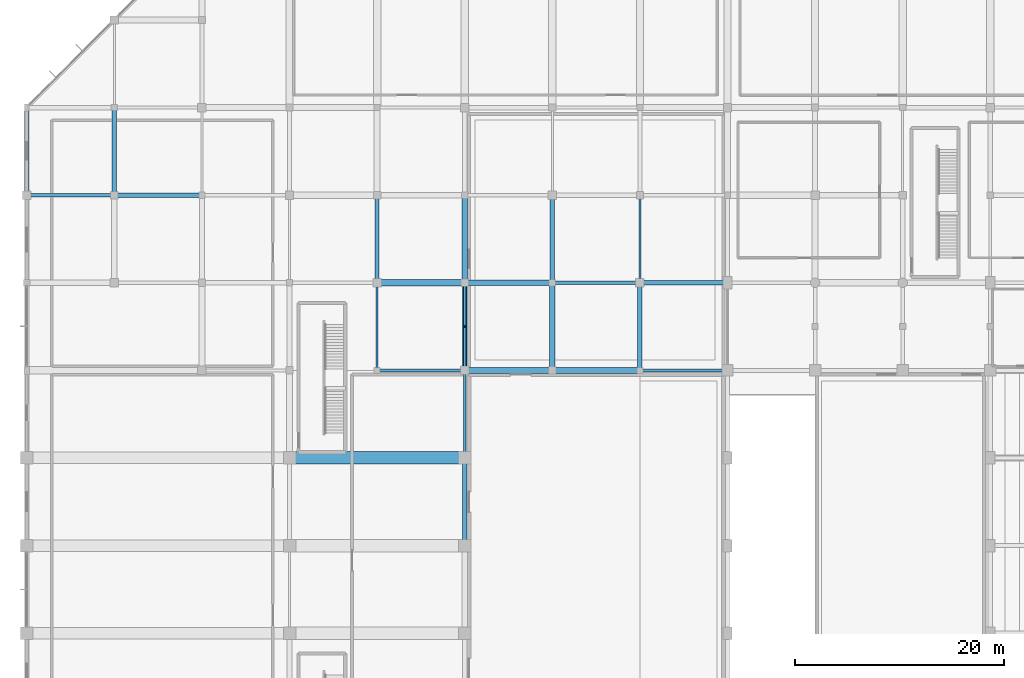
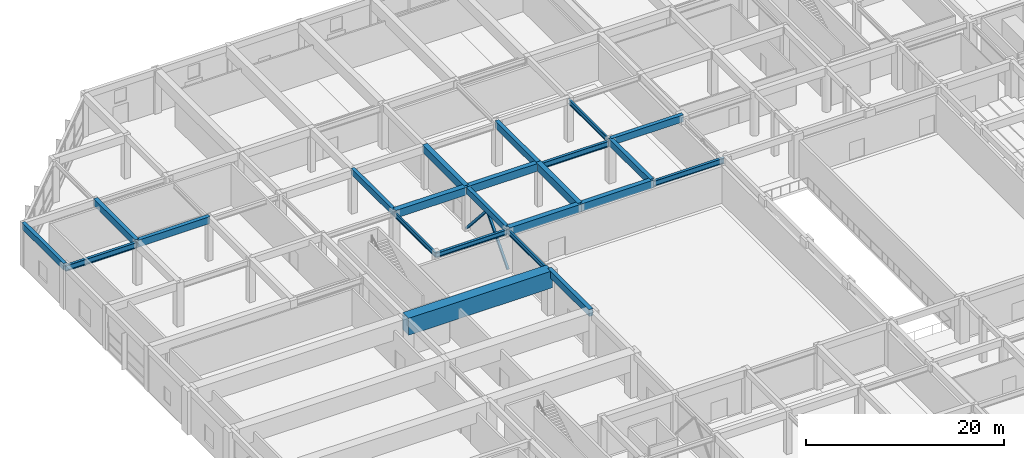
# One storey, part 19 of 62: 23 beams, 2 members.
"""IFC4 building model written with IfcOpenShell, lengths in metres."""

from ifc_helpers import new_model, si_unit, direction, frame, origin, origin_2d, place, context, subcontext, project, spatial, rectangle, hollow_rectangle, i_section, extrude, material, material_profile, profile_set, type_object, element, save


model = new_model("IFC4")

# Units and contexts
model_context = context("Model", 3, precision=1e-05, world=origin(), true_north=direction((0.0, 1.0)))
body_context = subcontext(model_context, "Body", "Model", "MODEL_VIEW")
ifc_project = project(units=[si_unit("LENGTHUNIT", "METRE"), si_unit("AREAUNIT", "SQUARE_METRE"), si_unit("VOLUMEUNIT", "CUBIC_METRE"), si_unit("PLANEANGLEUNIT", "RADIAN"), si_unit("MASSUNIT", "GRAM", prefix="KILO")], contexts=[model_context])

# Site, building, storey
site_placement = place(None, origin())
site = spatial("IfcSite", under=ifc_project, at=site_placement, CompositionType="ELEMENT")
building_placement = place(site_placement, origin())
building = spatial("IfcBuilding", under=site, at=building_placement, Name="Xuanlan Plaza Opera House", CompositionType="ELEMENT")
storey_placement = place(building_placement, origin())
storey = spatial("IfcBuildingStorey", under=building, at=storey_placement, Name="L00", CompositionType="ELEMENT", Elevation=0.0)

# Beams
ifc_material_1 = material(Name="Concrete C50", Category="concrete")
ifc_material_profile_1 = material_profile(ifc_material_1, rectangle(XDim=0.60009765625, YDim=0.949951171875, at=origin_2d()), Name="RC-BM 600x950")
ifc_profile_set_1 = profile_set([ifc_material_profile_1], Name="Concrete C50")
beam_type_1 = type_object("IfcBeamType", Name="STR-BM-B-01", PredefinedType="BEAM", material=ifc_profile_set_1)
for number, where, z_axis, x_axis, name in (
    (1, (42.0, 75.60009765625, 4.925048828125), (1.0, 0.0, 0.0), (0.0, 1.0, 0.0), "Grid Beam X L00 6-7/J"),
    (2, (33.60009765625, 84.0, 4.925048828125), (1.0, 0.0, 0.0), (0.0, 1.0, 0.0), "Grid Beam X L00 5-6/K"),
):
    element("IfcBeam", number, at=place(storey_placement, frame(where, z_axis=z_axis, x_axis=x_axis)), inside=storey, type_object=beam_type_1, Name=name, PredefinedType="BEAM", context=body_context, shape_type="SweptSolid", body=[
        extrude(rectangle(XDim=0.60009765625, YDim=0.949951171875, at=origin_2d()), origin(), (0.0, 0.0, 1.0), 8.39990234375),
    ])
ifc_material_profile_2 = material_profile(ifc_material_1, rectangle(XDim=0.550048828125, YDim=0.949951171875, at=origin_2d()), Name="RC-BM 550x950")
ifc_profile_set_2 = profile_set([ifc_material_profile_2], Name="Concrete C50")
beam_type_2 = type_object("IfcBeamType", Name="STR-BM-B-02", PredefinedType="BEAM", material=ifc_profile_set_2)
beam_1_placement = place(storey_placement, frame((50.39990234375, 75.60009765625, 4.925048828125), z_axis=(1.0, 0.0, 0.0), x_axis=(0.0, 1.0, 0.0)))
element("IfcBeam", 3, at=beam_1_placement, inside=storey, type_object=beam_type_2, Name="Grid Beam X L00 7-8/J", PredefinedType="BEAM", context=body_context, shape_type="SweptSolid", body=[
    extrude(rectangle(XDim=0.550048828125, YDim=0.949951171875, at=origin_2d()), origin(), (0.0, 0.0, 1.0), 8.400146484375),
])
for number, where, z_axis, x_axis, name in (
    (4, (42.0, 84.0, 4.925048828125), (1.0, 0.0, 0.0), (0.0, 1.0, 0.0), "Grid Beam X L00 6-7/K"),
    (5, (42.0, 84.0, 4.925048828125), (0.0, 1.0, 0.0), (-1.0, 0.0, 0.0), "Grid Beam Y L00 6/K-L"),
    (6, (50.39990234375, 75.60009765625, 4.925048828125), (0.0, 1.0, 0.0), (-1.0, 0.0, 0.0), "Grid Beam Y L00 7/J-K"),
):
    element("IfcBeam", number, at=place(storey_placement, frame(where, z_axis=z_axis, x_axis=x_axis)), inside=storey, type_object=beam_type_2, Name=name, PredefinedType="BEAM", context=body_context, shape_type="SweptSolid", body=[
        extrude(rectangle(XDim=0.550048828125, YDim=0.949951171875, at=origin_2d()), origin(), (0.0, 0.0, 1.0), 8.39990234375),
    ])
ifc_material_2 = material(Name="Concrete C40", Category="concrete")
ifc_material_profile_3 = material_profile(ifc_material_2, rectangle(XDim=0.449951171875, YDim=0.85009765625, at=origin_2d()), Name="RC-BM 450x850")
ifc_profile_set_3 = profile_set([ifc_material_profile_3], Name="Concrete C40")
beam_type_3 = type_object("IfcBeamType", Name="STR-BM-B-04", PredefinedType="BEAM", material=ifc_profile_set_3)
beam_2_placement = place(storey_placement, frame((58.800048828125, 84.0, 4.97509765625), z_axis=(1.0, 0.0, 0.0), x_axis=(0.0, 1.0, 0.0)))
element("IfcBeam", 7, at=beam_2_placement, inside=storey, type_object=beam_type_3, Name="Grid Beam X L00 8-9/K", PredefinedType="BEAM", context=body_context, shape_type="SweptSolid", body=[
    extrude(rectangle(XDim=0.449951171875, YDim=0.85009765625, at=origin_2d()), origin(), (0.0, 0.0, 1.0), 8.39990234375),
])
for number, where, z_axis, x_axis, name in (
    (8, (8.39990234375, 92.39990234375, 4.97509765625), (1.0, 0.0, 0.0), (0.0, 1.0, 0.0), "Grid Beam X L00 2-3/L"),
    (9, (8.39990234375, 92.39990234375, 4.97509765625), (0.0, 1.0, 0.0), (-1.0, 0.0, 0.0), "Grid Beam Y L00 2/L-M"),
):
    element("IfcBeam", number, at=place(storey_placement, frame(where, z_axis=z_axis, x_axis=x_axis)), inside=storey, type_object=beam_type_3, Name=name, PredefinedType="BEAM", context=body_context, shape_type="SweptSolid", body=[
        extrude(rectangle(XDim=0.449951171875, YDim=0.85009765625, at=origin_2d()), origin(), (0.0, 0.0, 1.0), 8.400146484375),
    ])
for number, where, z_axis, x_axis, name in (
    (10, (42.0, 58.800048828125, 4.97509765625), (0.0, 1.0, 0.0), (-1.0, 0.0, 0.0), "Grid Beam Y L00 6/H-I"),
    (11, (50.39990234375, 84.0, 4.97509765625), (0.0, 1.0, 0.0), (-1.0, 0.0, 0.0), "Grid Beam Y L00 7/K-L"),
    (12, (58.800048828125, 75.60009765625, 4.97509765625), (0.0, 1.0, 0.0), (-1.0, 0.0, 0.0), "Grid Beam Y L00 8/J-K"),
):
    element("IfcBeam", number, at=place(storey_placement, frame(where, z_axis=z_axis, x_axis=x_axis)), inside=storey, type_object=beam_type_3, Name=name, PredefinedType="BEAM", context=body_context, shape_type="SweptSolid", body=[
        extrude(rectangle(XDim=0.449951171875, YDim=0.85009765625, at=origin_2d()), origin(), (0.0, 0.0, 1.0), 8.39990234375),
    ])
ifc_material_profile_4 = material_profile(ifc_material_2, rectangle(XDim=0.39990234375, YDim=0.75, at=origin_2d()), Name="RC-BM 400x750")
ifc_profile_set_4 = profile_set([ifc_material_profile_4], Name="Concrete C40")
beam_type_4 = type_object("IfcBeamType", Name="STR-BM-B-06", PredefinedType="BEAM", material=ifc_profile_set_4)
for number, where, z_axis, x_axis, name in (
    (13, (33.60009765625, 84.0, 5.02490234375), (0.0, 1.0, 0.0), (-1.0, 0.0, 0.0), "Grid Beam Y L00 5/K-L"),
    (14, (42.0, 75.60009765625, 5.02490234375), (0.0, 1.0, 0.0), (-1.0, 0.0, 0.0), "Grid Beam Y L00 6/J-K"),
):
    element("IfcBeam", number, at=place(storey_placement, frame(where, z_axis=z_axis, x_axis=x_axis)), inside=storey, type_object=beam_type_4, Name=name, PredefinedType="BEAM", context=body_context, shape_type="SweptSolid", body=[
        extrude(rectangle(XDim=0.39990234375, YDim=0.75, at=origin_2d()), origin(), (0.0, 0.0, 1.0), 8.39990234375),
    ])
ifc_material_3 = material(Name="Steel Q355B", Category="steel")
ifc_material_profile_5 = material_profile(ifc_material_3, i_section(OverallWidth=0.300048828125, OverallDepth=0.699951171875, WebThickness=0.012939453125, FlangeThickness=0.02392578125, FilletRadius=0.02392578125, at=origin_2d()), Name="HN 700x300x13x24")
ifc_profile_set_5 = profile_set([ifc_material_profile_5], Name="Steel Q355B")
beam_type_5 = type_object("IfcBeamType", Name="STR-BM-SB-03", PredefinedType="BEAM", material=ifc_profile_set_5)
beam_3_placement = place(storey_placement, frame((58.800048828125, 75.60009765625, 4.784912109375), z_axis=(1.0, 0.0, 0.0), x_axis=(0.0, 1.0, 0.0)))
element("IfcBeam", 15, at=beam_3_placement, inside=storey, type_object=beam_type_5, Name="Grid Beam X L00 8-9/J", PredefinedType="BEAM", context=body_context, shape_type="SweptSolid", body=[
    extrude(i_section(OverallWidth=0.300048828125, OverallDepth=0.699951171875, WebThickness=0.012939453125, FlangeThickness=0.02392578125, FilletRadius=0.02392578125, at=origin_2d()), origin(), (0.0, 0.0, 1.0), 8.39990234375),
])
beam_4_placement = place(storey_placement, frame((50.39990234375, 84.0, 4.784912109375), z_axis=(1.0, 0.0, 0.0), x_axis=(0.0, 1.0, 0.0)))
element("IfcBeam", 16, at=beam_4_placement, inside=storey, type_object=beam_type_5, Name="Grid Beam X L00 7-8/K", PredefinedType="BEAM", context=body_context, shape_type="SweptSolid", body=[
    extrude(i_section(OverallWidth=0.300048828125, OverallDepth=0.699951171875, WebThickness=0.012939453125, FlangeThickness=0.02392578125, FilletRadius=0.02392578125, at=origin_2d()), origin(), (0.0, 0.0, 1.0), 8.400146484375),
])
beam_5_placement = place(storey_placement, frame((0.0, 92.39990234375, 4.784912109375), z_axis=(1.0, 0.0, 0.0), x_axis=(0.0, 1.0, 0.0)))
element("IfcBeam", 17, at=beam_5_placement, inside=storey, type_object=beam_type_5, Name="Grid Beam X L00 1-2/L", PredefinedType="BEAM", context=body_context, shape_type="SweptSolid", body=[
    extrude(i_section(OverallWidth=0.300048828125, OverallDepth=0.699951171875, WebThickness=0.012939453125, FlangeThickness=0.02392578125, FilletRadius=0.02392578125, at=origin_2d()), origin(), (0.0, 0.0, 1.0), 8.39990234375),
])
ifc_material_profile_6 = material_profile(ifc_material_3, i_section(OverallWidth=0.199951171875, OverallDepth=0.60009765625, WebThickness=0.010986328125, FlangeThickness=0.01708984375, FilletRadius=0.02197265625, at=origin_2d()), Name="HN 600x200x11x17")
ifc_profile_set_6 = profile_set([ifc_material_profile_6], Name="Steel Q355B")
beam_type_6 = type_object("IfcBeamType", Name="STR-BM-SB-04", PredefinedType="BEAM", material=ifc_profile_set_6)
beam_6_placement = place(storey_placement, frame((33.60009765625, 75.60009765625, 4.8349609375), z_axis=(0.0, 1.0, 0.0), x_axis=(-1.0, 0.0, 0.0)))
element("IfcBeam", 18, at=beam_6_placement, inside=storey, type_object=beam_type_6, Name="Grid Beam Y L00 5/J-K", PredefinedType="BEAM", context=body_context, shape_type="SweptSolid", body=[
    extrude(i_section(OverallWidth=0.199951171875, OverallDepth=0.60009765625, WebThickness=0.010986328125, FlangeThickness=0.01708984375, FilletRadius=0.02197265625, at=origin_2d()), origin(), (0.0, 0.0, 1.0), 8.39990234375),
])
beam_7_placement = place(storey_placement, frame((42.0, 67.199951171875, 4.8349609375), z_axis=(0.0, 1.0, 0.0), x_axis=(-1.0, 0.0, 0.0)))
element("IfcBeam", 19, at=beam_7_placement, inside=storey, type_object=beam_type_6, Name="Grid Beam Y L00 6/I-J", PredefinedType="BEAM", context=body_context, shape_type="SweptSolid", body=[
    extrude(i_section(OverallWidth=0.199951171875, OverallDepth=0.60009765625, WebThickness=0.010986328125, FlangeThickness=0.01708984375, FilletRadius=0.02197265625, at=origin_2d()), origin(), (0.0, 0.0, 1.0), 8.400146484375),
])
beam_8_placement = place(storey_placement, frame((58.800048828125, 84.0, 4.8349609375), z_axis=(0.0, 1.0, 0.0), x_axis=(-1.0, 0.0, 0.0)))
element("IfcBeam", 20, at=beam_8_placement, inside=storey, type_object=beam_type_6, Name="Grid Beam Y L00 8/K-L", PredefinedType="BEAM", context=body_context, shape_type="SweptSolid", body=[
    extrude(i_section(OverallWidth=0.199951171875, OverallDepth=0.60009765625, WebThickness=0.010986328125, FlangeThickness=0.01708984375, FilletRadius=0.02197265625, at=origin_2d()), origin(), (0.0, 0.0, 1.0), 8.39990234375),
])
ifc_material_profile_7 = material_profile(ifc_material_3, i_section(OverallWidth=0.300048828125, OverallDepth=0.587890625, WebThickness=0.011962890625, FlangeThickness=0.02001953125, FilletRadius=0.02392578125, at=origin_2d()), Name="HM 588x300x12x20")
ifc_profile_set_7 = profile_set([ifc_material_profile_7], Name="Steel Q355B")
beam_type_7 = type_object("IfcBeamType", Name="STR-BM-SB-06", PredefinedType="BEAM", material=ifc_profile_set_7)
beam_9_placement = place(storey_placement, frame((33.60009765625, 75.60009765625, 4.841064453125), z_axis=(1.0, 0.0, 0.0), x_axis=(0.0, 1.0, 0.0)))
element("IfcBeam", 21, at=beam_9_placement, inside=storey, type_object=beam_type_7, Name="Grid Beam X L00 5-6/J", PredefinedType="BEAM", context=body_context, shape_type="SweptSolid", body=[
    extrude(i_section(OverallWidth=0.300048828125, OverallDepth=0.587890625, WebThickness=0.011962890625, FlangeThickness=0.02001953125, FilletRadius=0.02392578125, at=origin_2d()), origin(), (0.0, 0.0, 1.0), 8.39990234375),
])
ifc_material_profile_8 = material_profile(ifc_material_2, rectangle(XDim=0.39990234375, YDim=0.800048828125, at=origin_2d()), Name="RC-SPD 400x800")
ifc_profile_set_8 = profile_set([ifc_material_profile_8], Name="Concrete C40")
beam_type_8 = type_object("IfcBeamType", Name="STR-BM-SP-01", PredefinedType="SPANDREL", material=ifc_profile_set_8)
beam_10_placement = place(storey_placement, frame((0.0, 92.39990234375, 5.0), z_axis=(0.0, 1.0, 0.0), x_axis=(-1.0, 0.0, 0.0)))
element("IfcBeam", 22, at=beam_10_placement, inside=storey, type_object=beam_type_8, Name="Grid Beam Y L00 1/L-M", PredefinedType="SPANDREL", context=body_context, shape_type="SweptSolid", body=[
    extrude(rectangle(XDim=0.39990234375, YDim=0.800048828125, at=origin_2d()), origin(), (0.0, 0.0, 1.0), 8.400146484375),
])
ifc_material_4 = material(Name="Concrete C60", Category="concrete")
ifc_material_profile_9 = material_profile(ifc_material_4, rectangle(XDim=1.199951171875, YDim=2.10009765625, at=origin_2d()), Name="RC-TG 1200x2100")
ifc_profile_set_9 = profile_set([ifc_material_profile_9], Name="Concrete C60")
beam_type_9 = type_object("IfcBeamType", Name="STR-BM-TG-03", PredefinedType="BEAM", material=ifc_profile_set_9)
beam_11_placement = place(storey_placement, frame((25.199951171875, 67.199951171875, 4.35009765625), z_axis=(1.0, 0.0, 0.0), x_axis=(0.0, 1.0, 0.0)))
element("IfcBeam", 23, at=beam_11_placement, inside=storey, type_object=beam_type_9, Name="Grid Beam X L00 4-6/I", PredefinedType="BEAM", context=body_context, shape_type="SweptSolid", body=[
    extrude(rectangle(XDim=1.199951171875, YDim=2.10009765625, at=origin_2d()), origin(), (0.0, 0.0, 1.0), 16.800048828125),
])

# Members
ifc_material_profile_10 = material_profile(ifc_material_3, hollow_rectangle(XDim=0.25, YDim=0.25, WallThickness=0.011962890625, at=origin_2d()), Name="SHS 250x250x12")
ifc_profile_set_10 = profile_set([ifc_material_profile_10], Name="Steel Q355B")
member_type = type_object("IfcMemberType", Name="STR-MEM-BR-06", PredefinedType="BRACE", material=ifc_profile_set_10)
for number, where, z_axis, x_axis, name in (
    (24, (42.0, 75.60009765625, 0.10009765625), (0.0, 0.662399393998, 0.749150881219), (-1.0, 0.0, 0.0), "Stage Lateral Chevron Brace L00-1A"),
    (25, (42.0, 84.0, 0.10009765625), (0.0, -0.662399393998, 0.749150881219), (1.0, 0.0, 0.0), "Stage Lateral Chevron Brace L00-1B"),
):
    element("IfcMember", number, at=place(storey_placement, frame(where, z_axis=z_axis, x_axis=x_axis)), inside=storey, type_object=member_type, Name=name, PredefinedType="BRACE", context=body_context, shape_type="SweptSolid", body=[
        extrude(hollow_rectangle(XDim=0.25, YDim=0.25, WallThickness=0.011962890625, at=origin_2d()), origin(), (0.0, 0.0, 1.0), 6.340576171875),
    ])

save(model, "model.ifc")
